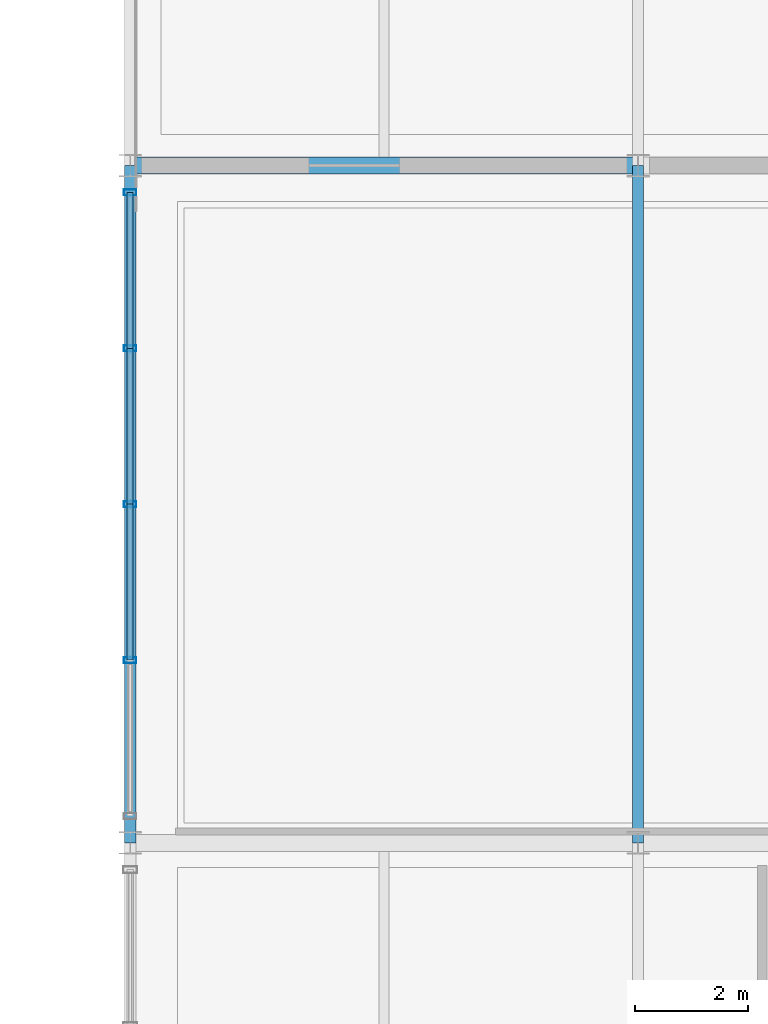
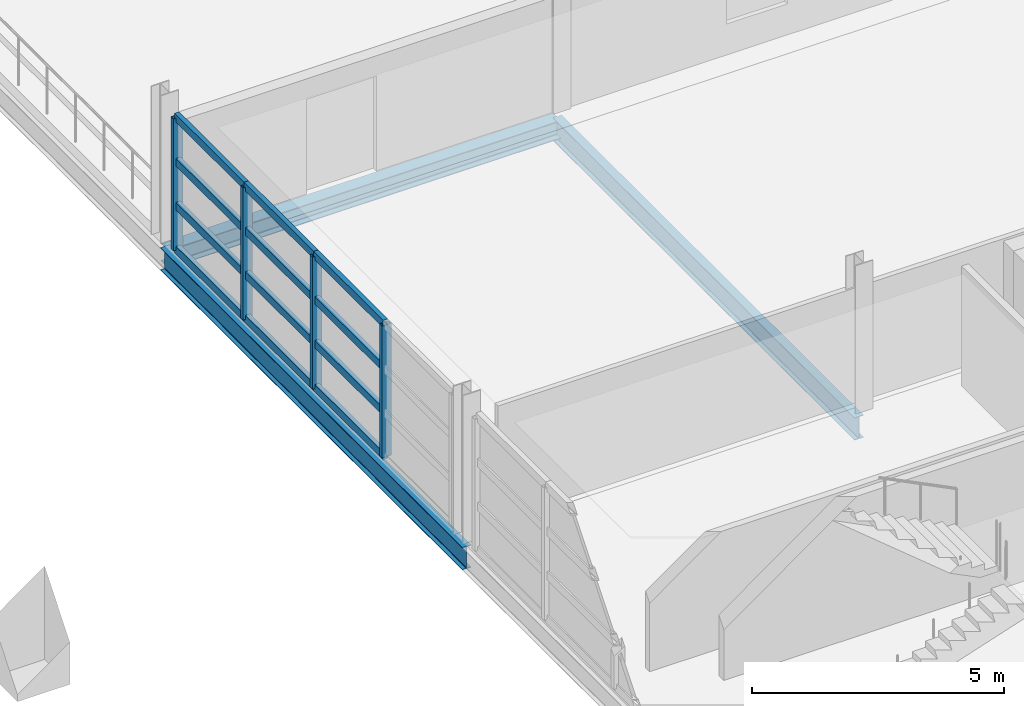
# One storey, part 65 of 116: 16 members, 3 beams, 1 element without a shape of its own.
"""IFC4 building model written with IfcOpenShell, lengths in metres."""

from ifc_helpers import new_model, si_unit, direction, frame, origin, origin_2d, place, context, subcontext, project, spatial, hollow_rectangle, i_section, extrude, material, material_profile, profile_set, type_object, element, aggregate, save


model = new_model("IFC4")

# Units and contexts
model_context = context("Model", 3, precision=1e-05, world=origin(), true_north=direction((0.0, 1.0)))
body_context = subcontext(model_context, "Body", "Model", "MODEL_VIEW")
ifc_project = project(units=[si_unit("LENGTHUNIT", "METRE"), si_unit("AREAUNIT", "SQUARE_METRE"), si_unit("VOLUMEUNIT", "CUBIC_METRE"), si_unit("PLANEANGLEUNIT", "RADIAN"), si_unit("MASSUNIT", "GRAM", prefix="KILO")], contexts=[model_context])

# Site, building, storey
site_placement = place(None, origin())
site = spatial("IfcSite", under=ifc_project, at=site_placement, CompositionType="ELEMENT")
building_placement = place(site_placement, origin())
building = spatial("IfcBuilding", under=site, at=building_placement, Name="Chuanluo Vaults Station", CompositionType="ELEMENT")
storey_placement = place(building_placement, frame((0.0, 0.0, 10.800048828125)))
storey = spatial("IfcBuildingStorey", under=building, at=storey_placement, Name="L02", CompositionType="ELEMENT", Elevation=10.800048828125)

# Beams
ifc_material_1 = material(Name="Steel Q355C", Category="steel")
ifc_material_profile_1 = material_profile(ifc_material_1, i_section(OverallWidth=0.300048828125, OverallDepth=0.43994140625, WebThickness=0.010986328125, FlangeThickness=0.01806640625, FilletRadius=0.02001953125, at=origin_2d()))
ifc_profile_set_1 = profile_set([ifc_material_profile_1], Name="Steel Q355C")
beam_type_1 = type_object("IfcBeamType", Name="BM-GRD-450", PredefinedType="USERDEFINED", material=ifc_profile_set_1)
beam_placement = place(storey_placement, frame((136.0, 42.0, -0.469970703125), z_axis=(1.0, 0.0, 0.0), x_axis=(0.0, 1.0, 0.0)))
element("IfcBeam", 1, at=beam_placement, inside=storey, type_object=beam_type_1, Name="Floor girder BM:GX:L02:0566", ObjectType="GIRDER", PredefinedType="USERDEFINED", context=body_context, shape_type="SweptSolid", body=[
    extrude(i_section(OverallWidth=0.300048828125, OverallDepth=0.43994140625, WebThickness=0.010986328125, FlangeThickness=0.01806640625, FilletRadius=0.02001953125, at=origin_2d()), origin(), (0.0, 0.0, 1.0), 9.0),
])
ifc_material_2 = material(Name="Steel Q355C", Category="steel")
ifc_material_profile_2 = material_profile(ifc_material_2, i_section(OverallWidth=0.199951171875, OverallDepth=0.550048828125, WebThickness=0.010009765625, FlangeThickness=0.01611328125, FilletRadius=0.01806640625, at=origin_2d()))
ifc_profile_set_2 = profile_set([ifc_material_profile_2], Name="Steel Q355C")
beam_type_2 = type_object("IfcBeamType", Name="BM-GRD-550", PredefinedType="USERDEFINED", material=ifc_profile_set_2)
for number, where, z_axis, x_axis, name in (
    (2, (136.0, 30.0, -0.51513671875), (0.0, 1.0, 0.0), (-1.0, 0.0, 0.0), "Floor girder BM:GY:L02:0637"),
    (3, (145.0, 30.0, -0.51513671875), (0.0, 1.0, 0.0), (-1.0, 0.0, 0.0), "Floor girder BM:GY:L02:0643"),
):
    element("IfcBeam", number, at=place(storey_placement, frame(where, z_axis=z_axis, x_axis=x_axis)), inside=storey, type_object=beam_type_2, Name=name, ObjectType="GIRDER", PredefinedType="USERDEFINED", context=body_context, shape_type="SweptSolid", body=[
        extrude(i_section(OverallWidth=0.199951171875, OverallDepth=0.550048828125, WebThickness=0.010009765625, FlangeThickness=0.01611328125, FilletRadius=0.01806640625, at=origin_2d()), origin(), (0.0, 0.0, 1.0), 12.0),
    ])

# Curtain wall, members
ifc_material_3 = material(Name="Anodised aluminium 6063-T6", Category="aluminium")
curtain_wall_type = type_object("IfcCurtainWallType", Name="CW-SYS-24", PredefinedType="NOTDEFINED", material=ifc_material_3)
curtain_wall_placement = place(storey_placement, origin())
curtain_wall = element("IfcCurtainWall", 4, at=curtain_wall_placement, inside=storey, type_object=curtain_wall_type, Name="Retail pavilion L02 facade CW", PredefinedType="NOTDEFINED")
ifc_material_4 = material(Name="Anodised aluminium 6063-T6", Category="aluminium")
ifc_material_profile_3 = material_profile(ifc_material_4, hollow_rectangle(XDim=0.10498046875, YDim=0.219970703125, WallThickness=0.006103515625, at=origin_2d()))
ifc_profile_set_3 = profile_set([ifc_material_profile_3], Name="Anodised aluminium 6063-T6")
member_type_1 = type_object("IfcMemberType", Name="CWM-140", PredefinedType="MULLION", material=ifc_profile_set_3)
member_1_placement = place(storey_placement, frame((136.0, 33.237548828125, 0.0), z_axis=(0.0, 0.0, 1.0), x_axis=(0.0, 1.0, 0.0)))
member_1 = element("IfcMember", 5, at=member_1_placement, type_object=member_type_1, Name="Retail pavilion L02 facade CW mullion 2", PredefinedType="MULLION", context=body_context, shape_type="SweptSolid", body=[
    extrude(hollow_rectangle(XDim=0.10498046875, YDim=0.219970703125, WallThickness=0.006103515625, at=origin_2d()), origin(), (0.0, 0.0, 1.0), 3.199951171875),
])
member_2_placement = place(storey_placement, frame((136.0, 36.0, 0.0), z_axis=(0.0, 0.0, 1.0), x_axis=(0.0, 1.0, 0.0)))
member_2 = element("IfcMember", 6, at=member_2_placement, type_object=member_type_1, Name="Retail pavilion L02 facade CW mullion 3", PredefinedType="MULLION", context=body_context, shape_type="SweptSolid", body=[
    extrude(hollow_rectangle(XDim=0.10498046875, YDim=0.219970703125, WallThickness=0.006103515625, at=origin_2d()), origin(), (0.0, 0.0, 1.0), 3.199951171875),
])
member_3_placement = place(storey_placement, frame((136.0, 38.762451171875, 0.0), z_axis=(0.0, 0.0, 1.0), x_axis=(0.0, 1.0, 0.0)))
member_3 = element("IfcMember", 7, at=member_3_placement, type_object=member_type_1, Name="Retail pavilion L02 facade CW mullion 4", PredefinedType="MULLION", context=body_context, shape_type="SweptSolid", body=[
    extrude(hollow_rectangle(XDim=0.10498046875, YDim=0.219970703125, WallThickness=0.006103515625, at=origin_2d()), origin(), (0.0, 0.0, 1.0), 3.199951171875),
])
member_4_placement = place(storey_placement, frame((136.0, 41.52490234375, 0.0), z_axis=(0.0, 0.0, 1.0), x_axis=(0.0, 1.0, 0.0)))
member_4 = element("IfcMember", 8, at=member_4_placement, type_object=member_type_1, Name="Retail pavilion L02 facade CW mullion 5", PredefinedType="MULLION", context=body_context, shape_type="SweptSolid", body=[
    extrude(hollow_rectangle(XDim=0.10498046875, YDim=0.219970703125, WallThickness=0.006103515625, at=origin_2d()), origin(), (0.0, 0.0, 1.0), 3.199951171875),
])
ifc_material_5 = material(Name="Anodised aluminium 6063-T6", Category="aluminium")
ifc_material_profile_4 = material_profile(ifc_material_5, hollow_rectangle(XDim=0.10498046875, YDim=0.18505859375, WallThickness=0.0048828125, at=origin_2d()))
ifc_profile_set_4 = profile_set([ifc_material_profile_4], Name="Anodised aluminium 6063-T6")
member_type_2 = type_object("IfcMemberType", Name="CWT-110", PredefinedType="USERDEFINED", material=ifc_profile_set_4)
member_5_placement = place(storey_placement, frame((136.0, 33.237548828125, 0.0), z_axis=(0.0, 1.0, 0.0), x_axis=(-1.0, 0.0, 0.0)))
member_5 = element("IfcMember", 9, at=member_5_placement, type_object=member_type_2, Name="Retail pavilion L02 facade CW transom 2.1", ObjectType="TRANSOM", PredefinedType="USERDEFINED", context=body_context, shape_type="SweptSolid", body=[
    extrude(hollow_rectangle(XDim=0.10498046875, YDim=0.18505859375, WallThickness=0.0048828125, at=origin_2d()), origin(), (0.0, 0.0, 1.0), 2.762451171875),
])
member_6_placement = place(storey_placement, frame((136.0, 33.237548828125, 1.066650390625), z_axis=(0.0, 1.0, 0.0), x_axis=(-1.0, 0.0, 0.0)))
member_6 = element("IfcMember", 10, at=member_6_placement, type_object=member_type_2, Name="Retail pavilion L02 facade CW transom 2.2", ObjectType="TRANSOM", PredefinedType="USERDEFINED", context=body_context, shape_type="SweptSolid", body=[
    extrude(hollow_rectangle(XDim=0.10498046875, YDim=0.18505859375, WallThickness=0.0048828125, at=origin_2d()), origin(), (0.0, 0.0, 1.0), 2.762451171875),
])
member_7_placement = place(storey_placement, frame((136.0, 33.237548828125, 2.13330078125), z_axis=(0.0, 1.0, 0.0), x_axis=(-1.0, 0.0, 0.0)))
member_7 = element("IfcMember", 11, at=member_7_placement, type_object=member_type_2, Name="Retail pavilion L02 facade CW transom 2.3", ObjectType="TRANSOM", PredefinedType="USERDEFINED", context=body_context, shape_type="SweptSolid", body=[
    extrude(hollow_rectangle(XDim=0.10498046875, YDim=0.18505859375, WallThickness=0.0048828125, at=origin_2d()), origin(), (0.0, 0.0, 1.0), 2.762451171875),
])
member_8_placement = place(storey_placement, frame((136.0, 33.237548828125, 3.199951171875), z_axis=(0.0, 1.0, 0.0), x_axis=(-1.0, 0.0, 0.0)))
member_8 = element("IfcMember", 12, at=member_8_placement, type_object=member_type_2, Name="Retail pavilion L02 facade CW transom 2.4", ObjectType="TRANSOM", PredefinedType="USERDEFINED", context=body_context, shape_type="SweptSolid", body=[
    extrude(hollow_rectangle(XDim=0.10498046875, YDim=0.18505859375, WallThickness=0.0048828125, at=origin_2d()), origin(), (0.0, 0.0, 1.0), 2.762451171875),
])
member_9_placement = place(storey_placement, frame((136.0, 36.0, 0.0), z_axis=(0.0, 1.0, 0.0), x_axis=(-1.0, 0.0, 0.0)))
member_9 = element("IfcMember", 13, at=member_9_placement, type_object=member_type_2, Name="Retail pavilion L02 facade CW transom 3.1", ObjectType="TRANSOM", PredefinedType="USERDEFINED", context=body_context, shape_type="SweptSolid", body=[
    extrude(hollow_rectangle(XDim=0.10498046875, YDim=0.18505859375, WallThickness=0.0048828125, at=origin_2d()), origin(), (0.0, 0.0, 1.0), 2.762451171875),
])
member_10_placement = place(storey_placement, frame((136.0, 36.0, 1.066650390625), z_axis=(0.0, 1.0, 0.0), x_axis=(-1.0, 0.0, 0.0)))
member_10 = element("IfcMember", 14, at=member_10_placement, type_object=member_type_2, Name="Retail pavilion L02 facade CW transom 3.2", ObjectType="TRANSOM", PredefinedType="USERDEFINED", context=body_context, shape_type="SweptSolid", body=[
    extrude(hollow_rectangle(XDim=0.10498046875, YDim=0.18505859375, WallThickness=0.0048828125, at=origin_2d()), origin(), (0.0, 0.0, 1.0), 2.762451171875),
])
member_11_placement = place(storey_placement, frame((136.0, 36.0, 2.13330078125), z_axis=(0.0, 1.0, 0.0), x_axis=(-1.0, 0.0, 0.0)))
member_11 = element("IfcMember", 15, at=member_11_placement, type_object=member_type_2, Name="Retail pavilion L02 facade CW transom 3.3", ObjectType="TRANSOM", PredefinedType="USERDEFINED", context=body_context, shape_type="SweptSolid", body=[
    extrude(hollow_rectangle(XDim=0.10498046875, YDim=0.18505859375, WallThickness=0.0048828125, at=origin_2d()), origin(), (0.0, 0.0, 1.0), 2.762451171875),
])
member_12_placement = place(storey_placement, frame((136.0, 36.0, 3.199951171875), z_axis=(0.0, 1.0, 0.0), x_axis=(-1.0, 0.0, 0.0)))
member_12 = element("IfcMember", 16, at=member_12_placement, type_object=member_type_2, Name="Retail pavilion L02 facade CW transom 3.4", ObjectType="TRANSOM", PredefinedType="USERDEFINED", context=body_context, shape_type="SweptSolid", body=[
    extrude(hollow_rectangle(XDim=0.10498046875, YDim=0.18505859375, WallThickness=0.0048828125, at=origin_2d()), origin(), (0.0, 0.0, 1.0), 2.762451171875),
])
member_13_placement = place(storey_placement, frame((136.0, 38.762451171875, 0.0), z_axis=(0.0, 1.0, 0.0), x_axis=(-1.0, 0.0, 0.0)))
member_13 = element("IfcMember", 17, at=member_13_placement, type_object=member_type_2, Name="Retail pavilion L02 facade CW transom 4.1", ObjectType="TRANSOM", PredefinedType="USERDEFINED", context=body_context, shape_type="SweptSolid", body=[
    extrude(hollow_rectangle(XDim=0.10498046875, YDim=0.18505859375, WallThickness=0.0048828125, at=origin_2d()), origin(), (0.0, 0.0, 1.0), 2.762451171875),
])
member_14_placement = place(storey_placement, frame((136.0, 38.762451171875, 1.066650390625), z_axis=(0.0, 1.0, 0.0), x_axis=(-1.0, 0.0, 0.0)))
member_14 = element("IfcMember", 18, at=member_14_placement, type_object=member_type_2, Name="Retail pavilion L02 facade CW transom 4.2", ObjectType="TRANSOM", PredefinedType="USERDEFINED", context=body_context, shape_type="SweptSolid", body=[
    extrude(hollow_rectangle(XDim=0.10498046875, YDim=0.18505859375, WallThickness=0.0048828125, at=origin_2d()), origin(), (0.0, 0.0, 1.0), 2.762451171875),
])
member_15_placement = place(storey_placement, frame((136.0, 38.762451171875, 2.13330078125), z_axis=(0.0, 1.0, 0.0), x_axis=(-1.0, 0.0, 0.0)))
member_15 = element("IfcMember", 19, at=member_15_placement, type_object=member_type_2, Name="Retail pavilion L02 facade CW transom 4.3", ObjectType="TRANSOM", PredefinedType="USERDEFINED", context=body_context, shape_type="SweptSolid", body=[
    extrude(hollow_rectangle(XDim=0.10498046875, YDim=0.18505859375, WallThickness=0.0048828125, at=origin_2d()), origin(), (0.0, 0.0, 1.0), 2.762451171875),
])
member_16_placement = place(storey_placement, frame((136.0, 38.762451171875, 3.199951171875), z_axis=(0.0, 1.0, 0.0), x_axis=(-1.0, 0.0, 0.0)))
member_16 = element("IfcMember", 20, at=member_16_placement, type_object=member_type_2, Name="Retail pavilion L02 facade CW transom 4.4", ObjectType="TRANSOM", PredefinedType="USERDEFINED", context=body_context, shape_type="SweptSolid", body=[
    extrude(hollow_rectangle(XDim=0.10498046875, YDim=0.18505859375, WallThickness=0.0048828125, at=origin_2d()), origin(), (0.0, 0.0, 1.0), 2.762451171875),
])
aggregate(curtain_wall, [member_1, member_2, member_3, member_4, member_5, member_6, member_7, member_8, member_9, member_10, member_11, member_12, member_13, member_14, member_15, member_16])

save(model, "model.ifc")
